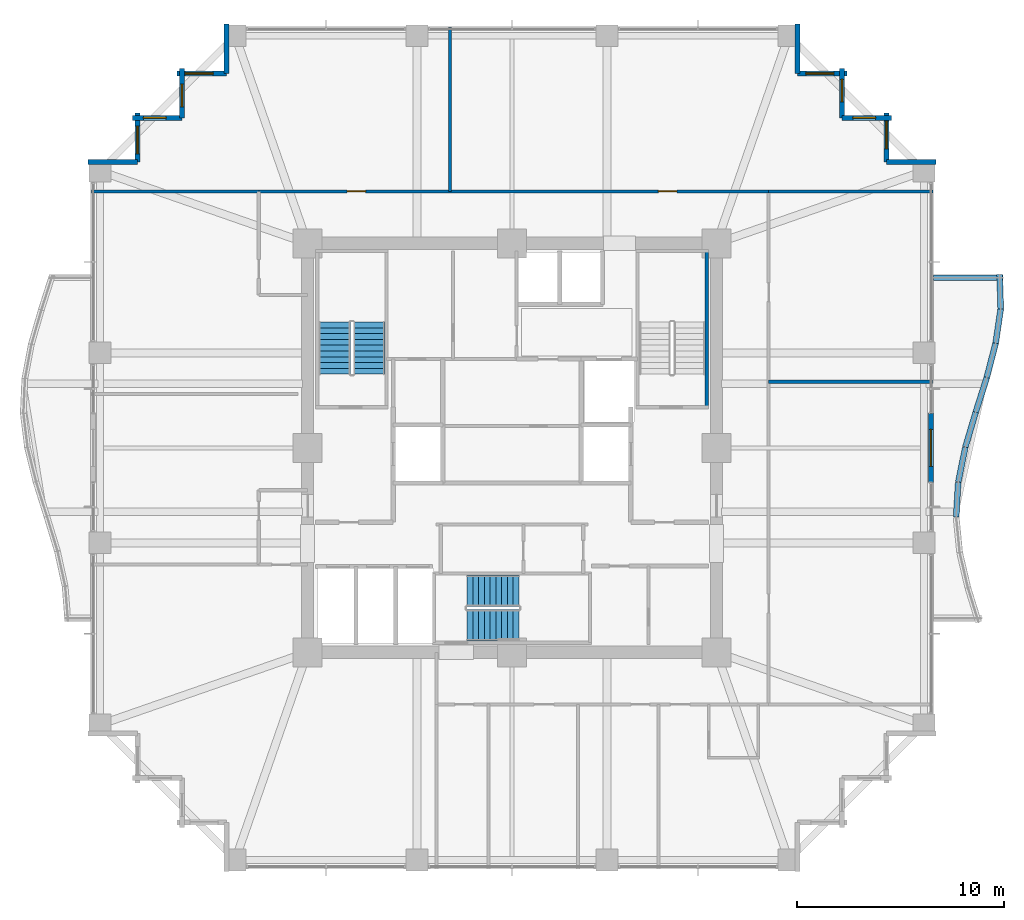
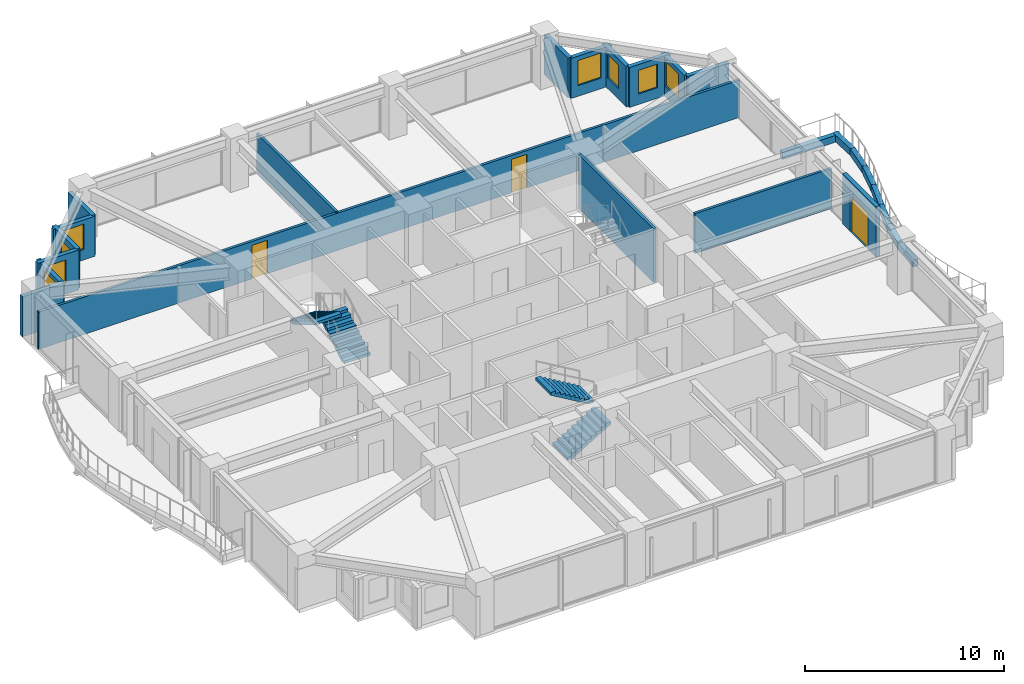
# One storey, part 33 of 36: 27 walls, 8 windows, 4 stair flights, 3 doors, 11 openings, 2 elements without a shape of their own.
"""IFC4 building model written with IfcOpenShell, lengths in metres."""

from ifc_helpers import new_model, si_unit, direction, frame, frame_2d, origin, place, context, subcontext, project, spatial, polyline, rectangle, outline, extrude, material, layer, layer_set, type_object, element, fill, aggregate, save


model = new_model("IFC4")

# Units and contexts
model_context = context("Model", 3, precision=1e-05, world=origin(), true_north=direction((0.0, 1.0)))
body_context = subcontext(model_context, "Body", "Model", "MODEL_VIEW")
ifc_project = project(units=[si_unit("LENGTHUNIT", "METRE"), si_unit("AREAUNIT", "SQUARE_METRE"), si_unit("VOLUMEUNIT", "CUBIC_METRE"), si_unit("PLANEANGLEUNIT", "RADIAN"), si_unit("MASSUNIT", "GRAM", prefix="KILO")], contexts=[model_context])

# Site, building, storey
site_placement = place(None, origin())
site = spatial("IfcSite", under=ifc_project, at=site_placement, CompositionType="ELEMENT")
building_placement = place(site_placement, origin())
building = spatial("IfcBuilding", under=site, at=building_placement, Name="Kolvaren Belvedere", CompositionType="ELEMENT")
storey_placement = place(building_placement, frame((0.0, 0.0, 95.300048828125)))
storey = spatial("IfcBuildingStorey", under=building, at=storey_placement, Name="L27", CompositionType="ELEMENT", Elevation=95.300048828125)

# Wall
ifc_material_1 = material(Name="Concrete C50/60", Category="concrete")
ifc_layer_1 = layer(ifc_material_1, 0.159912109375)
ifc_layer_set_1 = layer_set([ifc_layer_1], Name="Concrete C50/60")
wall_type_1 = type_object("IfcWallType", Name="CW-STAIR-160", PredefinedType="SHEAR", material=ifc_layer_set_1)
wall_1_placement = place(storey_placement, frame((9.429931640625, 1.969970703125, 0.0), z_axis=(0.0, 0.0, 1.0), x_axis=(0.0, 1.0, 0.0)))
element("IfcWall", 1, at=wall_1_placement, inside=storey, type_object=wall_type_1, Name="L27 Stair ST-2 East Shear Wall", PredefinedType="SHEAR", context=body_context, shape_type="SweptSolid", body=[
    extrude(rectangle(XDim=7.56005859375, YDim=0.159912109375, at=frame_2d((3.780029296875, 0.0))), origin(), (0.0, 0.0, 1.0), 3.300048828125),
])

# Wall, openings, doors
ifc_material_2 = material(Name="Gypsum fire-rated partition assembly", Category="gypsum")
ifc_layer_2 = layer(ifc_material_2, 0.14990234375)
ifc_layer_set_2 = layer_set([ifc_layer_2], Name="Gypsum fire-rated partition assembly")
wall_type_2 = type_object("IfcWallType", Name="WL-CORR-150", PredefinedType="PARTITIONING", material=ifc_layer_set_2)
wall_2_placement = place(storey_placement, frame((-12.260009765625, 12.419921875, 0.0), z_axis=(0.0, 0.0, 1.0), x_axis=(1.0, 0.0, 0.0)))
wall_2 = element("IfcWall", 2, at=wall_2_placement, inside=storey, type_object=wall_type_2, Name="L27 North Corridor Wall", PredefinedType="PARTITIONING", context=body_context, shape_type="SweptSolid", body=[
    extrude(rectangle(XDim=24.679931640625, YDim=0.14990234375, at=frame_2d((12.33984375, 0.0))), origin(), (0.0, 0.0, 1.0), 2.2919921875),
])
opening_1_placement = place(wall_2_placement, frame((4.27490234375, 0.0, 0.0)))
opening_1 = element("IfcOpeningElement", 3, at=opening_1_placement, cuts=wall_2, Name="Opening D-INT90", PredefinedType="OPENING", context=body_context, shape_type="SweptSolid", body=[
    extrude(rectangle(XDim=0.89990234375, YDim=2.06005859375, at=frame_2d((0.449951171875, 1.030029296875))), frame((0.0, 0.0849609375, 0.0), z_axis=(0.0, -1.0, 0.0), x_axis=(1.0, 0.0, 0.0)), (0.0, 0.0, 1.0), 0.169921875),
])
opening_2_placement = place(wall_2_placement, frame((19.344970703125, 0.0, 0.0)))
opening_2 = element("IfcOpeningElement", 4, at=opening_2_placement, cuts=wall_2, Name="Opening D-INT90", PredefinedType="OPENING", context=body_context, shape_type="SweptSolid", body=[
    extrude(rectangle(XDim=0.89990234375, YDim=2.06005859375, at=frame_2d((0.449951171875, 1.030029296875))), frame((0.0, 0.0849609375, 0.0), z_axis=(0.0, -1.0, 0.0), x_axis=(1.0, 0.0, 0.0)), (0.0, 0.0, 1.0), 0.169921875),
])
ifc_material_3 = material(Name="Stained Pacific white oak", Category="timber")
door_type_1 = type_object("IfcDoorType", Name="DR-INT-900", OperationType="NOTDEFINED", PredefinedType="DOOR", material=ifc_material_3)
door_1_placement = place(opening_1_placement, origin())
door_1 = element("IfcDoor", 5, at=door_1_placement, inside=storey, type_object=door_type_1, Name="L27 Lounge 2701 Door", OperationType="SINGLE_SWING_RIGHT", OverallHeight=2.06005859375, OverallWidth=0.89990234375, PredefinedType="DOOR", context=body_context, shape_type="SweptSolid", body=[
    extrude(rectangle(XDim=0.89990234375, YDim=2.06005859375, at=frame_2d((0.449951171875, 1.030029296875))), frame((0.0, 0.02490234375, 0.0), z_axis=(0.0, -1.0, 0.0), x_axis=(1.0, 0.0, 0.0)), (0.0, 0.0, 1.0), 0.050048828125),
])
fill(opening_1, door_1)
door_2_placement = place(opening_2_placement, origin())
door_2 = element("IfcDoor", 6, at=door_2_placement, inside=storey, type_object=door_type_1, Name="L27 Lounge 2702 Door", OperationType="SINGLE_SWING_LEFT", OverallHeight=2.06005859375, OverallWidth=0.89990234375, PredefinedType="DOOR", context=body_context, shape_type="SweptSolid", body=[
    extrude(rectangle(XDim=0.89990234375, YDim=2.06005859375, at=frame_2d((0.449951171875, 1.030029296875))), frame((0.0, 0.02490234375, 0.0), z_axis=(0.0, -1.0, 0.0), x_axis=(1.0, 0.0, 0.0)), (0.0, 0.0, 1.0), 0.050048828125),
])
fill(opening_2, door_2)

# Wall, opening, door
ifc_material_4 = material(Name="Insulated pale-metal facade wall assembly", Category="aluminium")
ifc_layer_3 = layer(ifc_material_4, 0.239990234375)
ifc_layer_set_3 = layer_set([ifc_layer_3], Name="Insulated pale-metal facade wall assembly")
wall_type_3 = type_object("IfcWallType", Name="WL-EXT-240", PredefinedType="STANDARD", material=ifc_layer_set_3)
wall_3_placement = place(storey_placement, frame((20.280029296875, 1.679931640625, 0.0), z_axis=(0.0, 0.0, 1.0), x_axis=(0.0, -1.0, 0.0)))
wall_3 = element("IfcWall", 7, at=wall_3_placement, inside=storey, type_object=wall_type_3, Name="L27 East Terrace Portal Wall", PredefinedType="STANDARD", context=body_context, shape_type="SweptSolid", body=[
    extrude(rectangle(XDim=3.35986328125, YDim=0.239990234375, at=frame_2d((1.679931640625, 0.0))), origin(), (0.0, 0.0, 1.0), 3.079833984375),
])
opening_3_placement = place(wall_3_placement, frame((0.780029296875, 0.0, 0.0)))
opening_3 = element("IfcOpeningElement", 8, at=opening_3_placement, cuts=wall_3, Name="Opening DB-1800", PredefinedType="OPENING", context=body_context, shape_type="SweptSolid", body=[
    extrude(rectangle(XDim=1.800048828125, YDim=2.199951171875, at=frame_2d((0.89990234375, 1.10009765625))), frame((0.0, 0.1298828125, 0.0), z_axis=(0.0, -1.0, 0.0), x_axis=(1.0, 0.0, 0.0)), (0.0, 0.0, 1.0), 0.260009765625),
])
ifc_material_5 = material(Name="Thermally broken pale-metal aluminium & low-iron glass", Category="aluminium")
door_type_2 = type_object("IfcDoorType", Name="DR-BAL-1800", OperationType="DOUBLE_DOOR_SLIDING", PredefinedType="DOOR", material=ifc_material_5)
door_3_placement = place(opening_3_placement, origin())
door_3 = element("IfcDoor", 9, at=door_3_placement, inside=storey, type_object=door_type_2, Name="L27 East Planted Terrace Sliding Door", OperationType="DOUBLE_DOOR_SLIDING", OverallHeight=2.199951171875, OverallWidth=1.800048828125, PredefinedType="DOOR", context=body_context, shape_type="SweptSolid", body=[
    extrude(rectangle(XDim=1.800048828125, YDim=2.199951171875, at=frame_2d((0.89990234375, 1.10009765625))), frame((0.0, 0.02490234375, 0.0), z_axis=(0.0, -1.0, 0.0), x_axis=(1.0, 0.0, 0.0)), (0.0, 0.0, 1.0), 0.050048828125),
])
fill(opening_3, door_3)

# Wall
wall_4_placement = place(storey_placement, frame((18.1298828125, 13.830078125, 0.0), z_axis=(0.0, 0.0, 1.0), x_axis=(1.0, 0.0, 0.0)))
element("IfcWall", 10, at=wall_4_placement, inside=storey, type_object=wall_type_3, Name="L27 Serrated Corner Facade Wall 9", PredefinedType="STANDARD", context=body_context, shape_type="SweptSolid", body=[
    extrude(rectangle(XDim=2.39013671875, YDim=0.239990234375, at=frame_2d((1.195068359375, 0.0))), origin(), (0.0, 0.0, 1.0), 2.458984375),
])

# Wall, opening, window
wall_5_placement = place(storey_placement, frame((18.1298828125, 16.219970703125, 0.0), z_axis=(0.0, 0.0, 1.0), x_axis=(0.0, -1.0, 0.0)))
wall_5 = element("IfcWall", 11, at=wall_5_placement, inside=storey, type_object=wall_type_3, Name="L27 Serrated Corner Facade Wall 10", PredefinedType="STANDARD", context=body_context, shape_type="SweptSolid", body=[
    extrude(rectangle(XDim=2.389892578125, YDim=0.239990234375, at=frame_2d((1.19482421875, 0.0))), origin(), (0.0, 0.0, 1.0), 2.458984375),
])
opening_4_placement = place(wall_5_placement, frame((0.39990234375, 0.0, 0.64990234375)))
opening_4 = element("IfcOpeningElement", 12, at=opening_4_placement, cuts=wall_5, Name="Opening W-1350", PredefinedType="OPENING", context=body_context, shape_type="SweptSolid", body=[
    extrude(rectangle(XDim=1.35009765625, YDim=1.550048828125, at=frame_2d((0.675048828125, 0.77490234375))), frame((0.0, 0.1298828125, 0.0), z_axis=(0.0, -1.0, 0.0), x_axis=(1.0, 0.0, 0.0)), (0.0, 0.0, 1.0), 0.260009765625),
])
ifc_material_6 = material(Name="Low-iron triple insulated glass", Category="glass")
window_type_1 = type_object("IfcWindowType", Name="WN-CORN-1350", PartitioningType="SINGLE_PANEL", PredefinedType="WINDOW", material=ifc_material_6)
window_1_placement = place(opening_4_placement, origin())
window_1 = element("IfcWindow", 13, at=window_1_placement, inside=storey, type_object=window_type_1, Name="L27 Serrated Corner Vision Window 10", OverallHeight=1.550048828125, OverallWidth=1.35009765625, PartitioningType="SINGLE_PANEL", PredefinedType="WINDOW", context=body_context, shape_type="SweptSolid", body=[
    extrude(rectangle(XDim=1.35009765625, YDim=1.550048828125, at=frame_2d((0.675048828125, 0.77490234375))), frame((0.0, 0.030029296875, 0.0), z_axis=(0.0, -1.0, 0.0), x_axis=(1.0, 0.0, 0.0)), (0.0, 0.0, 1.0), 0.06005859375),
])
fill(opening_4, window_1)

wall_6_placement = place(storey_placement, frame((15.97998046875, 15.97998046875, 0.0), z_axis=(0.0, 0.0, 1.0), x_axis=(1.0, 0.0, 0.0)))
wall_6 = element("IfcWall", 14, at=wall_6_placement, inside=storey, type_object=wall_type_3, Name="L27 Serrated Corner Facade Wall 11", PredefinedType="STANDARD", context=body_context, shape_type="SweptSolid", body=[
    extrude(rectangle(XDim=2.39013671875, YDim=0.239990234375, at=frame_2d((1.195068359375, 0.0))), origin(), (0.0, 0.0, 1.0), 2.458984375),
])
opening_5_placement = place(wall_6_placement, frame((0.52490234375, 0.0, 0.64990234375)))
opening_5 = element("IfcOpeningElement", 15, at=opening_5_placement, cuts=wall_6, Name="Opening W-1100", PredefinedType="OPENING", context=body_context, shape_type="SweptSolid", body=[
    extrude(rectangle(XDim=1.10009765625, YDim=1.449951171875, at=frame_2d((0.550048828125, 0.72509765625))), frame((0.0, 0.1298828125, 0.0), z_axis=(0.0, -1.0, 0.0), x_axis=(1.0, 0.0, 0.0)), (0.0, 0.0, 1.0), 0.260009765625),
])
ifc_material_7 = material(Name="Low-iron triple insulated glass", Category="glass")
window_type_2 = type_object("IfcWindowType", Name="WN-CORN-1100", PartitioningType="SINGLE_PANEL", PredefinedType="WINDOW", material=ifc_material_7)
window_2_placement = place(opening_5_placement, origin())
window_2 = element("IfcWindow", 16, at=window_2_placement, inside=storey, type_object=window_type_2, Name="L27 Serrated Corner Vision Window 11", OverallHeight=1.449951171875, OverallWidth=1.10009765625, PartitioningType="SINGLE_PANEL", PredefinedType="WINDOW", context=body_context, shape_type="SweptSolid", body=[
    extrude(rectangle(XDim=1.10009765625, YDim=1.449951171875, at=frame_2d((0.550048828125, 0.72509765625))), frame((0.0, 0.030029296875, 0.0), z_axis=(0.0, -1.0, 0.0), x_axis=(1.0, 0.0, 0.0)), (0.0, 0.0, 1.0), 0.06005859375),
])
fill(opening_5, window_2)

wall_7_placement = place(storey_placement, frame((15.97998046875, 18.3701171875, 0.0), z_axis=(0.0, 0.0, 1.0), x_axis=(0.0, -1.0, 0.0)))
wall_7 = element("IfcWall", 17, at=wall_7_placement, inside=storey, type_object=wall_type_3, Name="L27 Serrated Corner Facade Wall 12", PredefinedType="STANDARD", context=body_context, shape_type="SweptSolid", body=[
    extrude(rectangle(XDim=2.39013671875, YDim=0.239990234375, at=frame_2d((1.195068359375, 0.0))), origin(), (0.0, 0.0, 1.0), 2.458984375),
])
opening_6_placement = place(wall_7_placement, frame((0.52490234375, 0.0, 0.64990234375)))
opening_6 = element("IfcOpeningElement", 18, at=opening_6_placement, cuts=wall_7, Name="Opening W-1100", PredefinedType="OPENING", context=body_context, shape_type="SweptSolid", body=[
    extrude(rectangle(XDim=1.10009765625, YDim=1.449951171875, at=frame_2d((0.550048828125, 0.72509765625))), frame((0.0, 0.1298828125, 0.0), z_axis=(0.0, -1.0, 0.0), x_axis=(1.0, 0.0, 0.0)), (0.0, 0.0, 1.0), 0.260009765625),
])
window_3_placement = place(opening_6_placement, origin())
window_3 = element("IfcWindow", 19, at=window_3_placement, inside=storey, type_object=window_type_2, Name="L27 Serrated Corner Vision Window 12", OverallHeight=1.449951171875, OverallWidth=1.10009765625, PartitioningType="SINGLE_PANEL", PredefinedType="WINDOW", context=body_context, shape_type="SweptSolid", body=[
    extrude(rectangle(XDim=1.10009765625, YDim=1.449951171875, at=frame_2d((0.550048828125, 0.72509765625))), frame((0.0, 0.030029296875, 0.0), z_axis=(0.0, -1.0, 0.0), x_axis=(1.0, 0.0, 0.0)), (0.0, 0.0, 1.0), 0.06005859375),
])
fill(opening_6, window_3)

wall_8_placement = place(storey_placement, frame((13.830078125, 18.1298828125, 0.0), z_axis=(0.0, 0.0, 1.0), x_axis=(1.0, 0.0, 0.0)))
wall_8 = element("IfcWall", 20, at=wall_8_placement, inside=storey, type_object=wall_type_3, Name="L27 Serrated Corner Facade Wall 13", PredefinedType="STANDARD", context=body_context, shape_type="SweptSolid", body=[
    extrude(rectangle(XDim=2.389892578125, YDim=0.239990234375, at=frame_2d((1.19482421875, 0.0))), origin(), (0.0, 0.0, 1.0), 2.458984375),
])
opening_7_placement = place(wall_8_placement, frame((0.39990234375, 0.0, 0.64990234375)))
opening_7 = element("IfcOpeningElement", 21, at=opening_7_placement, cuts=wall_8, Name="Opening W-1350", PredefinedType="OPENING", context=body_context, shape_type="SweptSolid", body=[
    extrude(rectangle(XDim=1.35009765625, YDim=1.550048828125, at=frame_2d((0.675048828125, 0.77490234375))), frame((0.0, 0.1298828125, 0.0), z_axis=(0.0, -1.0, 0.0), x_axis=(1.0, 0.0, 0.0)), (0.0, 0.0, 1.0), 0.260009765625),
])
window_4_placement = place(opening_7_placement, origin())
window_4 = element("IfcWindow", 22, at=window_4_placement, inside=storey, type_object=window_type_1, Name="L27 Serrated Corner Vision Window 13", OverallHeight=1.550048828125, OverallWidth=1.35009765625, PartitioningType="SINGLE_PANEL", PredefinedType="WINDOW", context=body_context, shape_type="SweptSolid", body=[
    extrude(rectangle(XDim=1.35009765625, YDim=1.550048828125, at=frame_2d((0.675048828125, 0.77490234375))), frame((0.0, 0.030029296875, 0.0), z_axis=(0.0, -1.0, 0.0), x_axis=(1.0, 0.0, 0.0)), (0.0, 0.0, 1.0), 0.06005859375),
])
fill(opening_7, window_4)

# Walls
for number, where, z_axis, x_axis, name in (
    (23, (13.830078125, 20.52001953125, 0.0), (0.0, 0.0, 1.0), (0.0, -1.0, 0.0), "L27 Serrated Corner Facade Wall 14"),
    (24, (-13.830078125, 18.1298828125, 0.0), (0.0, 0.0, 1.0), (0.0, 1.0, 0.0), "L27 Serrated Corner Facade Wall 16"),
):
    element("IfcWall", number, at=place(storey_placement, frame(where, z_axis=z_axis, x_axis=x_axis)), inside=storey, type_object=wall_type_3, Name=name, PredefinedType="STANDARD", context=body_context, shape_type="SweptSolid", body=[
        extrude(rectangle(XDim=2.39013671875, YDim=0.239990234375, at=frame_2d((1.195068359375, 0.0))), origin(), (0.0, 0.0, 1.0), 2.458984375),
    ])

# Wall, opening, window
wall_9_placement = place(storey_placement, frame((-16.219970703125, 18.1298828125, 0.0), z_axis=(0.0, 0.0, 1.0), x_axis=(1.0, 0.0, 0.0)))
wall_9 = element("IfcWall", 25, at=wall_9_placement, inside=storey, type_object=wall_type_3, Name="L27 Serrated Corner Facade Wall 17", PredefinedType="STANDARD", context=body_context, shape_type="SweptSolid", body=[
    extrude(rectangle(XDim=2.389892578125, YDim=0.239990234375, at=frame_2d((1.19482421875, 0.0))), origin(), (0.0, 0.0, 1.0), 2.458984375),
])
opening_8_placement = place(wall_9_placement, frame((0.39990234375, 0.0, 0.64990234375)))
opening_8 = element("IfcOpeningElement", 26, at=opening_8_placement, cuts=wall_9, Name="Opening W-1350", PredefinedType="OPENING", context=body_context, shape_type="SweptSolid", body=[
    extrude(rectangle(XDim=1.35009765625, YDim=1.550048828125, at=frame_2d((0.675048828125, 0.77490234375))), frame((0.0, 0.1298828125, 0.0), z_axis=(0.0, -1.0, 0.0), x_axis=(1.0, 0.0, 0.0)), (0.0, 0.0, 1.0), 0.260009765625),
])
window_5_placement = place(opening_8_placement, origin())
window_5 = element("IfcWindow", 27, at=window_5_placement, inside=storey, type_object=window_type_1, Name="L27 Serrated Corner Vision Window 17", OverallHeight=1.550048828125, OverallWidth=1.35009765625, PartitioningType="SINGLE_PANEL", PredefinedType="WINDOW", context=body_context, shape_type="SweptSolid", body=[
    extrude(rectangle(XDim=1.35009765625, YDim=1.550048828125, at=frame_2d((0.675048828125, 0.77490234375))), frame((0.0, 0.030029296875, 0.0), z_axis=(0.0, -1.0, 0.0), x_axis=(1.0, 0.0, 0.0)), (0.0, 0.0, 1.0), 0.06005859375),
])
fill(opening_8, window_5)

wall_10_placement = place(storey_placement, frame((-15.97998046875, 15.97998046875, 0.0), z_axis=(0.0, 0.0, 1.0), x_axis=(0.0, 1.0, 0.0)))
wall_10 = element("IfcWall", 28, at=wall_10_placement, inside=storey, type_object=wall_type_3, Name="L27 Serrated Corner Facade Wall 18", PredefinedType="STANDARD", context=body_context, shape_type="SweptSolid", body=[
    extrude(rectangle(XDim=2.39013671875, YDim=0.239990234375, at=frame_2d((1.195068359375, 0.0))), origin(), (0.0, 0.0, 1.0), 2.458984375),
])
opening_9_placement = place(wall_10_placement, frame((0.52490234375, 0.0, 0.64990234375)))
opening_9 = element("IfcOpeningElement", 29, at=opening_9_placement, cuts=wall_10, Name="Opening W-1100", PredefinedType="OPENING", context=body_context, shape_type="SweptSolid", body=[
    extrude(rectangle(XDim=1.10009765625, YDim=1.449951171875, at=frame_2d((0.550048828125, 0.72509765625))), frame((0.0, 0.1298828125, 0.0), z_axis=(0.0, -1.0, 0.0), x_axis=(1.0, 0.0, 0.0)), (0.0, 0.0, 1.0), 0.260009765625),
])
window_6_placement = place(opening_9_placement, origin())
window_6 = element("IfcWindow", 30, at=window_6_placement, inside=storey, type_object=window_type_2, Name="L27 Serrated Corner Vision Window 18", OverallHeight=1.449951171875, OverallWidth=1.10009765625, PartitioningType="SINGLE_PANEL", PredefinedType="WINDOW", context=body_context, shape_type="SweptSolid", body=[
    extrude(rectangle(XDim=1.10009765625, YDim=1.449951171875, at=frame_2d((0.550048828125, 0.72509765625))), frame((0.0, 0.030029296875, 0.0), z_axis=(0.0, -1.0, 0.0), x_axis=(1.0, 0.0, 0.0)), (0.0, 0.0, 1.0), 0.06005859375),
])
fill(opening_9, window_6)

wall_11_placement = place(storey_placement, frame((-18.3701171875, 15.97998046875, 0.0), z_axis=(0.0, 0.0, 1.0), x_axis=(1.0, 0.0, 0.0)))
wall_11 = element("IfcWall", 31, at=wall_11_placement, inside=storey, type_object=wall_type_3, Name="L27 Serrated Corner Facade Wall 19", PredefinedType="STANDARD", context=body_context, shape_type="SweptSolid", body=[
    extrude(rectangle(XDim=2.39013671875, YDim=0.239990234375, at=frame_2d((1.195068359375, 0.0))), origin(), (0.0, 0.0, 1.0), 2.458984375),
])
opening_10_placement = place(wall_11_placement, frame((0.52490234375, 0.0, 0.64990234375)))
opening_10 = element("IfcOpeningElement", 32, at=opening_10_placement, cuts=wall_11, Name="Opening W-1100", PredefinedType="OPENING", context=body_context, shape_type="SweptSolid", body=[
    extrude(rectangle(XDim=1.10009765625, YDim=1.449951171875, at=frame_2d((0.550048828125, 0.72509765625))), frame((0.0, 0.1298828125, 0.0), z_axis=(0.0, -1.0, 0.0), x_axis=(1.0, 0.0, 0.0)), (0.0, 0.0, 1.0), 0.260009765625),
])
window_7_placement = place(opening_10_placement, origin())
window_7 = element("IfcWindow", 33, at=window_7_placement, inside=storey, type_object=window_type_2, Name="L27 Serrated Corner Vision Window 19", OverallHeight=1.449951171875, OverallWidth=1.10009765625, PartitioningType="SINGLE_PANEL", PredefinedType="WINDOW", context=body_context, shape_type="SweptSolid", body=[
    extrude(rectangle(XDim=1.10009765625, YDim=1.449951171875, at=frame_2d((0.550048828125, 0.72509765625))), frame((0.0, 0.030029296875, 0.0), z_axis=(0.0, -1.0, 0.0), x_axis=(1.0, 0.0, 0.0)), (0.0, 0.0, 1.0), 0.06005859375),
])
fill(opening_10, window_7)

wall_12_placement = place(storey_placement, frame((-18.1298828125, 13.830078125, 0.0), z_axis=(0.0, 0.0, 1.0), x_axis=(0.0, 1.0, 0.0)))
wall_12 = element("IfcWall", 34, at=wall_12_placement, inside=storey, type_object=wall_type_3, Name="L27 Serrated Corner Facade Wall 20", PredefinedType="STANDARD", context=body_context, shape_type="SweptSolid", body=[
    extrude(rectangle(XDim=2.389892578125, YDim=0.239990234375, at=frame_2d((1.19482421875, 0.0))), origin(), (0.0, 0.0, 1.0), 2.458984375),
])
opening_11_placement = place(wall_12_placement, frame((0.39990234375, 0.0, 0.64990234375)))
opening_11 = element("IfcOpeningElement", 35, at=opening_11_placement, cuts=wall_12, Name="Opening W-1350", PredefinedType="OPENING", context=body_context, shape_type="SweptSolid", body=[
    extrude(rectangle(XDim=1.35009765625, YDim=1.550048828125, at=frame_2d((0.675048828125, 0.77490234375))), frame((0.0, 0.1298828125, 0.0), z_axis=(0.0, -1.0, 0.0), x_axis=(1.0, 0.0, 0.0)), (0.0, 0.0, 1.0), 0.260009765625),
])
window_8_placement = place(opening_11_placement, origin())
window_8 = element("IfcWindow", 36, at=window_8_placement, inside=storey, type_object=window_type_1, Name="L27 Serrated Corner Vision Window 20", OverallHeight=1.550048828125, OverallWidth=1.35009765625, PartitioningType="SINGLE_PANEL", PredefinedType="WINDOW", context=body_context, shape_type="SweptSolid", body=[
    extrude(rectangle(XDim=1.35009765625, YDim=1.550048828125, at=frame_2d((0.675048828125, 0.77490234375))), frame((0.0, 0.030029296875, 0.0), z_axis=(0.0, -1.0, 0.0), x_axis=(1.0, 0.0, 0.0)), (0.0, 0.0, 1.0), 0.06005859375),
])
fill(opening_11, window_8)

# Walls
wall_13_placement = place(storey_placement, frame((-20.52001953125, 13.830078125, 0.0), z_axis=(0.0, 0.0, 1.0), x_axis=(1.0, 0.0, 0.0)))
element("IfcWall", 37, at=wall_13_placement, inside=storey, type_object=wall_type_3, Name="L27 Serrated Corner Facade Wall 21", PredefinedType="STANDARD", context=body_context, shape_type="SweptSolid", body=[
    extrude(rectangle(XDim=2.39013671875, YDim=0.239990234375, at=frame_2d((1.195068359375, 0.0))), origin(), (0.0, 0.0, 1.0), 2.458984375),
])
ifc_material_8 = material(Name="Gypsum acoustic partition assembly", Category="gypsum")
ifc_layer_4 = layer(ifc_material_8, 0.14990234375)
ifc_layer_set_4 = layer_set([ifc_layer_4], Name="Gypsum acoustic partition assembly")
wall_type_4 = type_object("IfcWallType", Name="WL-PART-150", PredefinedType="PARTITIONING", material=ifc_layer_set_4)
wall_14_placement = place(storey_placement, frame((-20.3798828125, 12.419921875, 0.0), z_axis=(0.0, 0.0, 1.0), x_axis=(1.0, 0.0, 0.0)))
element("IfcWall", 38, at=wall_14_placement, inside=storey, type_object=wall_type_4, Name="L27 Wing Divider PW-L27-QNW", PredefinedType="PARTITIONING", context=body_context, shape_type="SweptSolid", body=[
    extrude(rectangle(XDim=8.119873046875, YDim=0.14990234375, at=frame_2d((4.06005859375, 0.0))), origin(), (0.0, 0.0, 1.0), 2.2919921875),
])
wall_15_placement = place(storey_placement, frame((12.419921875, 12.419921875, 0.0), z_axis=(0.0, 0.0, 1.0), x_axis=(1.0, 0.0, 0.0)))
element("IfcWall", 39, at=wall_15_placement, inside=storey, type_object=wall_type_4, Name="L27 Wing Divider PW-L27-QNE", PredefinedType="PARTITIONING", context=body_context, shape_type="SweptSolid", body=[
    extrude(rectangle(XDim=7.9599609375, YDim=0.14990234375, at=frame_2d((3.97998046875, 0.0))), origin(), (0.0, 0.0, 1.0), 2.2919921875),
])
wall_16_placement = place(storey_placement, frame((-3.0, 12.419921875, 0.0), z_axis=(0.0, 0.0, 1.0), x_axis=(0.0, 1.0, 0.0)))
element("IfcWall", 40, at=wall_16_placement, inside=storey, type_object=wall_type_4, Name="L27 North Suite Demising Wall 1", PredefinedType="PARTITIONING", context=body_context, shape_type="SweptSolid", body=[
    extrude(rectangle(XDim=7.9599609375, YDim=0.14990234375, at=frame_2d((3.97998046875, 0.0))), origin(), (0.0, 0.0, 1.0), 2.368896484375),
])
wall_17_placement = place(storey_placement, frame((12.419921875, 3.199951171875, 0.0), z_axis=(0.0, 0.0, 1.0), x_axis=(1.0, 0.0, 0.0)))
element("IfcWall", 41, at=wall_17_placement, inside=storey, type_object=wall_type_4, Name="L27 East Suite Demising Wall 1", PredefinedType="PARTITIONING", context=body_context, shape_type="SweptSolid", body=[
    extrude(rectangle(XDim=7.9599609375, YDim=0.14990234375, at=frame_2d((3.97998046875, 0.0))), origin(), (0.0, 0.0, 1.0), 2.448974609375),
])
ifc_material_9 = material(Name="Precast concrete C40/50", Category="concrete")
ifc_layer_5 = layer(ifc_material_9, 0.300048828125)
ifc_layer_set_5 = layer_set([ifc_layer_5], Name="Precast concrete C40/50")
wall_type_5 = type_object("IfcWallType", Name="WL-PLANTER-300", PredefinedType="PARAPET", material=ifc_layer_set_5)
wall_18_placement = place(storey_placement, frame((21.50244140625, -3.350341796875, -0.0400390625), z_axis=(0.0, 0.0, 1.0), x_axis=(0.059767979379, 0.998212296378, 0.0)))
element("IfcWall", 42, at=wall_18_placement, inside=storey, type_object=wall_type_5, Name="L27 Precast Structural Planter Wall BAL-E-4", PredefinedType="PARAPET", context=body_context, shape_type="SweptSolid", body=[
    extrude(rectangle(XDim=1.682861328125, YDim=0.280029296875, at=frame_2d((0.84130859375, 0.0))), origin(), (0.0, 0.0, 1.0), 0.419921875),
])
wall_19_placement = place(storey_placement, frame((21.60595703125, -1.64794921875, -0.0400390625), z_axis=(0.0, 0.0, 1.0), x_axis=(0.199784246163, 0.979839912937, 0.0)))
element("IfcWall", 43, at=wall_19_placement, inside=storey, type_object=wall_type_5, Name="L27 Precast Structural Planter Wall BAL-E-5", PredefinedType="PARAPET", context=body_context, shape_type="SweptSolid", body=[
    extrude(rectangle(XDim=1.714599609375, YDim=0.280029296875, at=frame_2d((0.857421875, 0.0))), origin(), (0.0, 0.0, 1.0), 0.419921875),
])
wall_20_placement = place(storey_placement, frame((21.951904296875, 0.045654296875, -0.0400390625), z_axis=(0.0, 0.0, 1.0), x_axis=(0.284880325779, 0.95856309129, 0.0)))
element("IfcWall", 44, at=wall_20_placement, inside=storey, type_object=wall_type_5, Name="L27 Precast Structural Planter Wall BAL-E-6", PredefinedType="PARAPET", context=body_context, shape_type="SweptSolid", body=[
    extrude(rectangle(XDim=1.75244140625, YDim=0.280029296875, at=frame_2d((0.876220703125, 0.0))), origin(), (0.0, 0.0, 1.0), 0.419921875),
])
wall_21_placement = place(storey_placement, frame((22.4521484375, 1.728515625, -0.0400390625), z_axis=(0.0, 0.0, 1.0), x_axis=(0.302397356111, 0.953181954832, 0.0)))
element("IfcWall", 45, at=wall_21_placement, inside=storey, type_object=wall_type_5, Name="L27 Precast Structural Planter Wall BAL-E-7", PredefinedType="PARAPET", context=body_context, shape_type="SweptSolid", body=[
    extrude(rectangle(XDim=1.762451171875, YDim=0.280029296875, at=frame_2d((0.88134765625, 0.0))), origin(), (0.0, 0.0, 1.0), 0.419921875),
])
wall_22_placement = place(storey_placement, frame((22.982666015625, 3.400146484375, -0.0400390625), z_axis=(0.0, 0.0, 1.0), x_axis=(0.250439664624, 0.968132209145, 0.0)))
element("IfcWall", 46, at=wall_22_placement, inside=storey, type_object=wall_type_5, Name="L27 Precast Structural Planter Wall BAL-E-8", PredefinedType="PARAPET", context=body_context, shape_type="SweptSolid", body=[
    extrude(rectangle(XDim=1.7353515625, YDim=0.280029296875, at=frame_2d((0.86767578125, 0.0))), origin(), (0.0, 0.0, 1.0), 0.419921875),
])
wall_23_placement = place(storey_placement, frame((23.413818359375, 5.063232421875, -0.0400390625), z_axis=(0.0, 0.0, 1.0), x_axis=(0.145907826437, 0.98929818871, 0.0)))
element("IfcWall", 47, at=wall_23_placement, inside=storey, type_object=wall_type_5, Name="L27 Precast Structural Planter Wall BAL-E-9", PredefinedType="PARAPET", context=body_context, shape_type="SweptSolid", body=[
    extrude(rectangle(XDim=1.6982421875, YDim=0.280029296875, at=frame_2d((0.84912109375, 0.0))), origin(), (0.0, 0.0, 1.0), 0.419921875),
])
wall_24_placement = place(storey_placement, frame((23.66015625, 6.715087890625, -0.0400390625), z_axis=(0.0, 0.0, 1.0), x_axis=(-0.031520443874, 0.999503107358, 0.0)))
element("IfcWall", 48, at=wall_24_placement, inside=storey, type_object=wall_type_5, Name="L27 Precast Structural Planter Wall BAL-E-10", PredefinedType="PARAPET", context=body_context, shape_type="SweptSolid", body=[
    extrude(rectangle(XDim=1.6806640625, YDim=0.280029296875, at=frame_2d((0.84033203125, 0.0))), origin(), (0.0, 0.0, 1.0), 0.419921875),
])
wall_25_placement = place(storey_placement, frame((23.76708984375, 8.239990234375, -0.0400390625), z_axis=(0.0, 0.0, 1.0), x_axis=(-1.0, 0.0, 0.0)))
element("IfcWall", 49, at=wall_25_placement, inside=storey, type_object=wall_type_5, Name="L27 Precast Structural Planter Wall BAL-E-11", PredefinedType="PARAPET", context=body_context, shape_type="SweptSolid", body=[
    extrude(rectangle(XDim=3.3671875, YDim=0.280029296875, at=frame_2d((1.68359375, 0.0))), origin(), (0.0, 0.0, 1.0), 0.419921875),
])

# Stair, stair flights
ifc_material_10 = material(Name="Concrete C50/60", Category="concrete")
stair_type = type_object("IfcStairType", Name="ST-CORE-1520", PredefinedType="HALF_TURN_STAIR", material=ifc_material_10)
stair_1_placement = place(storey_placement, origin())
stair_1 = element("IfcStair", 50, at=stair_1_placement, inside=storey, type_object=stair_type, Name="L27 Protected Exit Stair ST-1", PredefinedType="HALF_TURN_STAIR")
ifc_material_11 = material(Name="Concrete C50/60", Category="concrete")
stair_flight_type = type_object("IfcStairFlightType", Name="SF-STR-1520", PredefinedType="STRAIGHT", material=ifc_material_11)
stair_flight_1_placement = place(storey_placement, frame((-6.919921875, 3.570068359375, 0.0), z_axis=(0.0, 0.0, 1.0), x_axis=(0.0, 1.0, 0.0)))
stair_flight_1 = element("IfcStairFlight", 51, at=stair_flight_1_placement, type_object=stair_flight_type, Name="ST-1 flight 1", NumberOfRisers=10, NumberOfTreads=9, PredefinedType="STRAIGHT", RiserHeight=0.165, TreadLength=0.28, context=body_context, shape_type="SweptSolid", body=[
    extrude(outline(polyline([(0.0, 0.0), (0.0, 0.1650390625), (0.280029296875, 0.1650390625), (0.280029296875, 0.330078125), (0.56005859375, 0.330078125), (0.56005859375, 0.4951171875), (0.840087890625, 0.4951171875), (0.840087890625, 0.659912109375), (1.1201171875, 0.659912109375), (1.1201171875, 0.824951171875), (1.39990234375, 0.824951171875), (1.39990234375, 0.989990234375), (1.679931640625, 0.989990234375), (1.679931640625, 1.155029296875), (1.9599609375, 1.155029296875), (1.9599609375, 1.320068359375), (2.239990234375, 1.320068359375), (2.239990234375, 1.485107421875), (2.52001953125, 1.485107421875), (2.52001953125, 1.64990234375), (2.52001953125, 1.31103515625), (0.295166015625, 0.0), (0.0, 0.0)])), frame((0.0, 0.760009765625, 0.0), z_axis=(0.0, -1.0, 0.0), x_axis=(1.0, 0.0, 0.0)), (0.0, 0.0, 1.0), 1.52001953125),
])
stair_flight_2_placement = place(storey_placement, frame((-8.590087890625, 6.090087890625, 1.64990234375), z_axis=(0.0, 0.0, 1.0), x_axis=(0.0, -1.0, 0.0)))
stair_flight_2 = element("IfcStairFlight", 52, at=stair_flight_2_placement, type_object=stair_flight_type, Name="ST-1 flight 2", NumberOfRisers=10, NumberOfTreads=9, PredefinedType="STRAIGHT", RiserHeight=0.165, TreadLength=0.28, context=body_context, shape_type="SweptSolid", body=[
    extrude(outline(polyline([(0.0, 0.0), (0.0, 0.1650390625), (0.280029296875, 0.1650390625), (0.280029296875, 0.330078125), (0.56005859375, 0.330078125), (0.56005859375, 0.4951171875), (0.840087890625, 0.4951171875), (0.840087890625, 0.659912109375), (1.1201171875, 0.659912109375), (1.1201171875, 0.824951171875), (1.39990234375, 0.824951171875), (1.39990234375, 0.989990234375), (1.679931640625, 0.989990234375), (1.679931640625, 1.155029296875), (1.9599609375, 1.155029296875), (1.9599609375, 1.320068359375), (2.239990234375, 1.320068359375), (2.239990234375, 1.485107421875), (2.52001953125, 1.485107421875), (2.52001953125, 1.64990234375), (2.52001953125, 1.31103515625), (0.295166015625, 0.0), (0.0, 0.0)])), frame((0.0, 0.760009765625, 0.0), z_axis=(0.0, -1.0, 0.0), x_axis=(1.0, 0.0, 0.0)), (0.0, 0.0, 1.0), 1.52001953125),
])
aggregate(stair_1, [stair_flight_1, stair_flight_2])

stair_2_placement = place(storey_placement, origin())
stair_2 = element("IfcStair", 53, at=stair_2_placement, inside=storey, type_object=stair_type, Name="L27 Protected Exit Stair ST-3", PredefinedType="HALF_TURN_STAIR")
stair_flight_3_placement = place(storey_placement, frame((-2.179931640625, -8.590087890625, 0.0), z_axis=(0.0, 0.0, 1.0), x_axis=(1.0, 0.0, 0.0)))
stair_flight_3 = element("IfcStairFlight", 54, at=stair_flight_3_placement, type_object=stair_flight_type, Name="ST-3 flight 1", NumberOfRisers=10, NumberOfTreads=9, PredefinedType="STRAIGHT", RiserHeight=0.165, TreadLength=0.28, context=body_context, shape_type="SweptSolid", body=[
    extrude(outline(polyline([(0.0, 0.0), (0.0, 0.1650390625), (0.280029296875, 0.1650390625), (0.280029296875, 0.330078125), (0.56005859375, 0.330078125), (0.56005859375, 0.4951171875), (0.840087890625, 0.4951171875), (0.840087890625, 0.659912109375), (1.1201171875, 0.659912109375), (1.1201171875, 0.824951171875), (1.39990234375, 0.824951171875), (1.39990234375, 0.989990234375), (1.679931640625, 0.989990234375), (1.679931640625, 1.155029296875), (1.9599609375, 1.155029296875), (1.9599609375, 1.320068359375), (2.239990234375, 1.320068359375), (2.239990234375, 1.485107421875), (2.52001953125, 1.485107421875), (2.52001953125, 1.64990234375), (2.52001953125, 1.31103515625), (0.295166015625, 0.0), (0.0, 0.0)])), frame((0.0, 0.760009765625, 0.0), z_axis=(0.0, -1.0, 0.0), x_axis=(1.0, 0.0, 0.0)), (0.0, 0.0, 1.0), 1.52001953125),
])
stair_flight_4_placement = place(storey_placement, frame((0.340087890625, -6.919921875, 1.64990234375), z_axis=(0.0, 0.0, 1.0), x_axis=(-1.0, 0.0, 0.0)))
stair_flight_4 = element("IfcStairFlight", 55, at=stair_flight_4_placement, type_object=stair_flight_type, Name="ST-3 flight 2", NumberOfRisers=10, NumberOfTreads=9, PredefinedType="STRAIGHT", RiserHeight=0.165, TreadLength=0.28, context=body_context, shape_type="SweptSolid", body=[
    extrude(outline(polyline([(0.0, 0.0), (0.0, 0.1650390625), (0.280029296875, 0.1650390625), (0.280029296875, 0.330078125), (0.56005859375, 0.330078125), (0.56005859375, 0.4951171875), (0.840087890625, 0.4951171875), (0.840087890625, 0.659912109375), (1.1201171875, 0.659912109375), (1.1201171875, 0.824951171875), (1.39990234375, 0.824951171875), (1.39990234375, 0.989990234375), (1.679931640625, 0.989990234375), (1.679931640625, 1.155029296875), (1.9599609375, 1.155029296875), (1.9599609375, 1.320068359375), (2.239990234375, 1.320068359375), (2.239990234375, 1.485107421875), (2.52001953125, 1.485107421875), (2.52001953125, 1.64990234375), (2.52001953125, 1.31103515625), (0.295166015625, 0.0), (0.0, 0.0)])), frame((0.0, 0.760009765625, 0.0), z_axis=(0.0, -1.0, 0.0), x_axis=(1.0, 0.0, 0.0)), (0.0, 0.0, 1.0), 1.52001953125),
])
aggregate(stair_2, [stair_flight_3, stair_flight_4])

save(model, "model.ifc")
